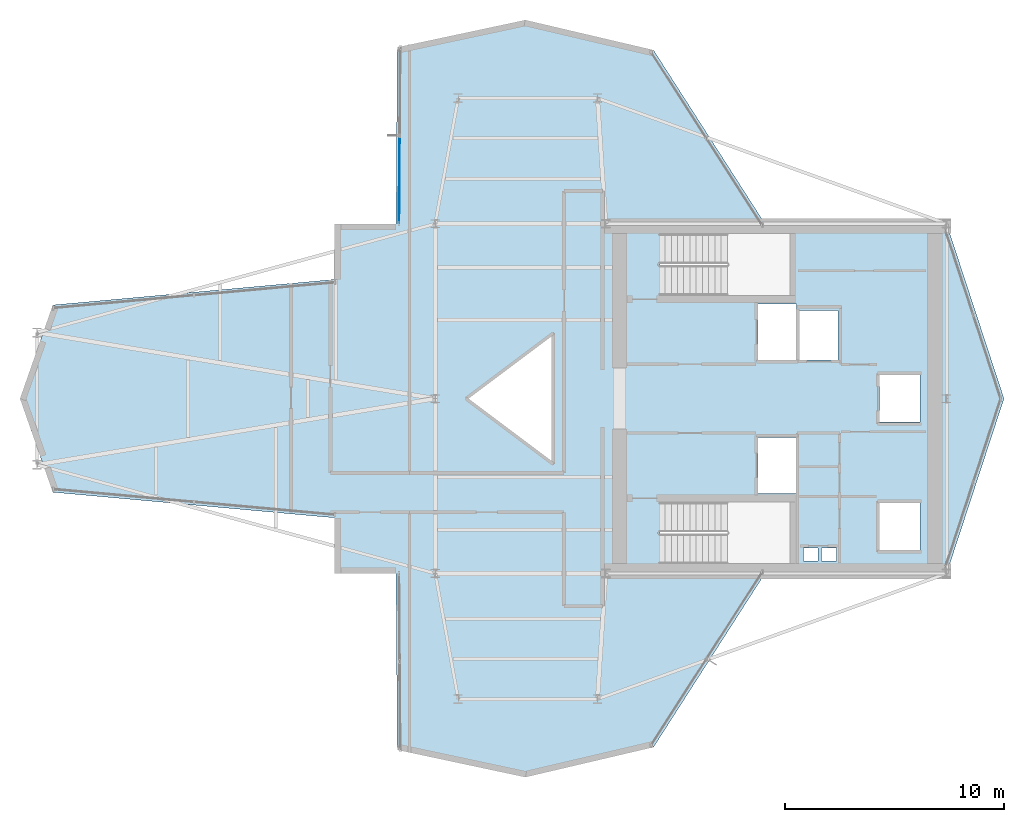
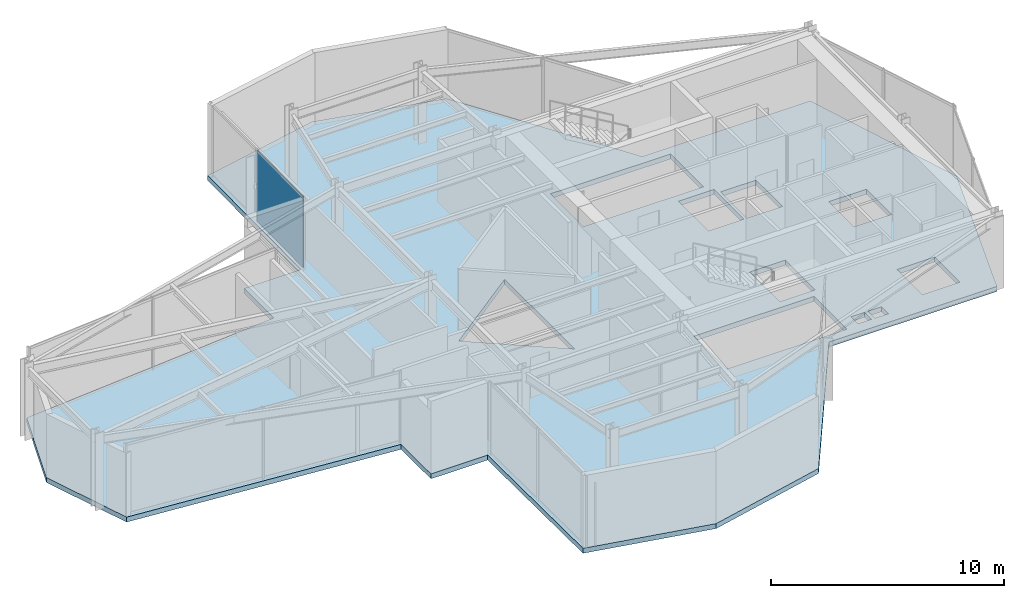
# One storey, part 19 of 23: 1 plate, 1 slab, 1 element without a shape of its own.
"""IFC4 building model written with IfcOpenShell, lengths in metres."""

import ifcopenshell
import ifcopenshell.guid

model = None  # the IFC model being written
_history = None  # IfcOwnerHistory: only IFC2X3 demands one
_inside = {}  # id of a spatial element -> (the spatial element, [elements in it])
_under = {}  # id of a project, library or spatial element -> (it, [spatial elements below it])
_declared = {}  # id of a project -> (the project, [libraries it declares])
_typed = {}  # id of a type object -> (the type object, [elements of that type])
_made_of = {}  # id of a material, layer set ... -> (it, [elements and type objects made of it])


def new_model(schema):
    """Start an empty IFC model of exactly this schema.

    Asked for "IFC4X3", IfcOpenShell would pick the latest addendum, in which some entities
    have other attributes; the version numbers below select the first issue.
    IFC2X3 requires an IfcOwnerHistory on every rooted entity: one is made here for all.
    """
    global model, _history
    if schema == "IFC4X3":
        model = ifcopenshell.file(schema_version=(4, 3, 0, 0))
    else:
        model = ifcopenshell.file(schema=schema)
    _inside.clear()
    _under.clear()
    _declared.clear()
    _typed.clear()
    _made_of.clear()
    _history = None
    if model.schema == "IFC2X3":
        org = make("IfcOrganization", Name="unknown")
        user = make(
            "IfcPersonAndOrganization",
            ThePerson=make("IfcPerson", FamilyName="unknown"),
            TheOrganization=org,
        )
        app = make(
            "IfcApplication",
            ApplicationDeveloper=org,
            Version="unknown",
            ApplicationFullName="unknown",
            ApplicationIdentifier="unknown",
        )
        _history = make(
            "IfcOwnerHistory",
            OwningUser=user,
            OwningApplication=app,
            ChangeAction="ADDED",
            CreationDate=0,
        )
    return model


def make(cls, **values):
    """One entity of the class cls with the attributes given. An attribute that is None is left unset."""
    return model.create_entity(
        cls, **{name: value for name, value in values.items() if value is not None}
    )


def rooted(cls, **values):
    """An entity with a GlobalId (a new one), such as an element, a storey or a relation."""
    return make(cls, GlobalId=ifcopenshell.guid.new(), OwnerHistory=_history, **values)


def si_unit(unit_type, name, prefix=None):
    """IfcSIUnit, for example si_unit("LENGTHUNIT", "METRE", prefix="MILLI")."""
    return make("IfcSIUnit", UnitType=unit_type, Prefix=prefix, Name=name)


def assignment(units):
    """IfcUnitAssignment: the units of a project."""
    return None if units is None else make("IfcUnitAssignment", Units=units)


def point(xyz):
    """IfcCartesianPoint."""
    return None if xyz is None else make("IfcCartesianPoint", Coordinates=xyz)


def direction(xyz):
    """IfcDirection."""
    return None if xyz is None else make("IfcDirection", DirectionRatios=xyz)


def frame(location, z_axis=None, x_axis=None):
    """IfcAxis2Placement3D, a coordinate frame: its origin and axes. An axis left out is left unset."""
    return make(
        "IfcAxis2Placement3D",
        Location=point(location),
        Axis=direction(z_axis),
        RefDirection=direction(x_axis),
    )


def frame_2d(location, x_axis=None):
    """IfcAxis2Placement2D, a coordinate frame in the plane: its origin and x axis."""
    return make(
        "IfcAxis2Placement2D", Location=point(location), RefDirection=direction(x_axis)
    )


def origin():
    """The frame at (0, 0, 0) with its axes left unset."""
    return frame((0.0, 0.0, 0.0))


def origin_2d():
    """The frame at (0, 0) in the plane with its x axis left unset."""
    return frame_2d((0.0, 0.0))


def place(relative_to, where):
    """IfcLocalPlacement: puts the frame where relative to a parent placement (None: the world)."""
    return make(
        "IfcLocalPlacement", PlacementRelTo=relative_to, RelativePlacement=where
    )


def context(
    kind, dimensions, precision=None, world=None, true_north=None, identifier=None
):
    """IfcGeometricRepresentationContext, for example the 3D "Model" context."""
    return make(
        "IfcGeometricRepresentationContext",
        ContextIdentifier=identifier,
        ContextType=kind,
        CoordinateSpaceDimension=dimensions,
        Precision=precision,
        WorldCoordinateSystem=world,
        TrueNorth=true_north,
    )


def subcontext(parent, identifier, kind, view, scale=None):
    """IfcGeometricRepresentationSubContext, for example "Body" below "Model"."""
    return make(
        "IfcGeometricRepresentationSubContext",
        ContextIdentifier=identifier,
        ContextType=kind,
        ParentContext=parent,
        TargetScale=scale,
        TargetView=view,
    )


def project(units=None, contexts=None):
    """IfcProject with its units and contexts."""
    return rooted(
        "IfcProject",
        Name="project",
        RepresentationContexts=contexts,
        UnitsInContext=assignment(units),
    )


def spatial(cls, under=None, at=None, **own):
    """A site, building, storey or space (cls), placed at a placement, below another one or the project."""
    s = rooted(cls, ObjectPlacement=at, **own)
    if under is not None:
        _under.setdefault(under.id(), (under, []))[1].append(s)
    return s


def polyline(points):
    """IfcPolyline through the points."""
    return make("IfcPolyline", Points=[point(p) for p in points])


def profile(cls, at=None, kind="AREA", **sizes):
    """A parametric profile (cls). Its sizes go by their IFC names, for example OverallWidth=200.0."""
    return make(cls, ProfileType=kind, Position=at, **sizes)


def rectangle(**sizes):
    """IfcRectangleProfileDef."""
    return profile("IfcRectangleProfileDef", **sizes)


def outline(outer, holes=None, kind="AREA"):
    """IfcArbitraryClosedProfileDef: a profile drawn as a closed curve; with holes, ...WithVoids."""
    if holes is None:
        return make("IfcArbitraryClosedProfileDef", ProfileType=kind, OuterCurve=outer)
    return make(
        "IfcArbitraryProfileDefWithVoids",
        ProfileType=kind,
        OuterCurve=outer,
        InnerCurves=holes,
    )


def extrude(swept, where, along, depth):
    """IfcExtrudedAreaSolid: the profile swept, set in the frame where, extruded along a direction by depth."""
    return make(
        "IfcExtrudedAreaSolid",
        SweptArea=swept,
        Position=where,
        ExtrudedDirection=direction(along),
        Depth=depth,
    )


def shape(context_of_items, identifier, shape_type, items):
    """IfcShapeRepresentation: the items that make up one representation, for example the "Body"."""
    return make(
        "IfcShapeRepresentation",
        ContextOfItems=context_of_items,
        RepresentationIdentifier=identifier,
        RepresentationType=shape_type,
        Items=items,
    )


def material(Name=None, Category=None):
    """IfcMaterial."""
    return make("IfcMaterial", Name=Name, Category=Category)


def layer(
    of_material, thickness, ventilated=None, Name=None, Category=None, Priority=None
):
    """IfcMaterialLayer: one layer of a wall or slab, of a material (None: an air gap)."""
    return make(
        "IfcMaterialLayer",
        Material=of_material,
        LayerThickness=thickness,
        IsVentilated=ventilated,
        Name=Name,
        Category=Category,
        Priority=Priority,
    )


def layer_set(layers, Name=None):
    """IfcMaterialLayerSet."""
    return make("IfcMaterialLayerSet", MaterialLayers=layers, LayerSetName=Name)


def made_of(thing, what):
    """Note that an element or type object is made of a material, layer set ...; save() writes the relation."""
    if what is not None:
        _made_of.setdefault(what.id(), (what, []))[1].append(thing)
    return thing


def type_object(cls, material=None, **own):
    """A type object (cls), such as IfcWallType, which elements share."""
    return made_of(rooted(cls, **own), material)


def element(
    cls,
    number,
    at=None,
    inside=None,
    cuts=None,
    type_object=None,
    material=None,
    context=None,
    identifier="Body",
    shape_type=None,
    held_by="IfcProductDefinitionShape",
    body=None,
    shapes=None,
    **own,
):
    """One element of the class cls, such as IfcWall. Its Tag is "e" and its number.

    at: its placement. inside: the storey or other place that contains it. cuts: it is an
    opening in that element (IfcRelVoidsElement). A single representation is given by context,
    identifier, shape_type and body (its items); several are given by shapes. held_by: the class
    of the entity that holds the representations. save() writes the other relations.
    """
    e = rooted(cls, Tag="e%d" % number, ObjectPlacement=at, **own)
    if body is not None:
        shapes = [shape(context, identifier, shape_type, body)]
    if shapes is not None:
        e.Representation = make(held_by, Representations=shapes)
    if inside is not None:
        _inside.setdefault(inside.id(), (inside, []))[1].append(e)
    if cuts is not None:
        rooted(
            "IfcRelVoidsElement", RelatingBuildingElement=cuts, RelatedOpeningElement=e
        )
    if type_object is not None:
        _typed.setdefault(type_object.id(), (type_object, []))[1].append(e)
    return made_of(e, material)


def aggregate(whole, parts):
    """IfcRelAggregates: a whole, such as a stair, and the parts it consists of."""
    return rooted("IfcRelAggregates", RelatingObject=whole, RelatedObjects=parts)


def save(model, path):
    """Write the relations noted so far, then the file.

    IfcRelAggregates (storeys below a building ...), IfcRelContainedInSpatialStructure (elements
    in a storey), IfcRelDefinesByType, IfcRelAssociatesMaterial and IfcRelDeclares: one each for
    every whole, place, type object, material and project.
    """
    for whole, parts in _under.values():
        aggregate(whole, parts)
    for where, things in _inside.values():
        rooted(
            "IfcRelContainedInSpatialStructure",
            RelatedElements=things,
            RelatingStructure=where,
        )
    for kind, things in _typed.values():
        rooted("IfcRelDefinesByType", RelatedObjects=things, RelatingType=kind)
    for what, things in _made_of.values():
        rooted("IfcRelAssociatesMaterial", RelatedObjects=things, RelatingMaterial=what)
    for by, libraries in _declared.values():
        rooted("IfcRelDeclares", RelatingContext=by, RelatedDefinitions=libraries)
    model.write(path)


model = new_model("IFC4")

# Units and contexts
model_context = context("Model", 3, precision=1e-05, world=origin(), true_north=direction((0.0, 1.0)))
body_context = subcontext(model_context, "Body", "Model", "MODEL_VIEW")
ifc_project = project(units=[si_unit("LENGTHUNIT", "METRE"), si_unit("AREAUNIT", "SQUARE_METRE"), si_unit("VOLUMEUNIT", "CUBIC_METRE"), si_unit("PLANEANGLEUNIT", "RADIAN"), si_unit("MASSUNIT", "GRAM", prefix="KILO")], contexts=[model_context])

# Site, building, storey
site_placement = place(None, origin())
site = spatial("IfcSite", under=ifc_project, at=site_placement, CompositionType="ELEMENT")
building_placement = place(site_placement, origin())
building = spatial("IfcBuilding", under=site, at=building_placement, Name="Veymaron Broadcast Tower", CompositionType="ELEMENT")
storey_placement = place(building_placement, frame((0.0, 0.0, 195.89990234375)))
storey = spatial("IfcBuildingStorey", under=building, at=storey_placement, Name="L45", CompositionType="ELEMENT", Elevation=195.89990234375)

# Curtain wall, plate
ifc_material_1 = material(Name="Anodised aluminium AA 6063-T6 and laminated low-E dark glass", Category="aluminium")
ifc_layer_1 = layer(ifc_material_1, 0.179931640625)
ifc_layer_set_1 = layer_set([ifc_layer_1], Name="Anodised aluminium AA 6063-T6 and laminated low-E dark glass")
curtain_wall_type = type_object("IfcCurtainWallType", Name="CW-SYS-05", PredefinedType="NOTDEFINED", material=ifc_layer_set_1)
curtain_wall_placement = place(storey_placement, origin())
curtain_wall = element("IfcCurtainWall", 1, at=curtain_wall_placement, inside=storey, type_object=curtain_wall_type, Name="L45 dark-glass curtain wall CW-L45-E8-1", PredefinedType="NOTDEFINED")
ifc_material_2 = material(Name="Double-silver solar-control dark glass IGU 32 mm", Category="glass")
ifc_layer_2 = layer(ifc_material_2, 0.031982421875)
ifc_layer_set_2 = layer_set([ifc_layer_2], Name="Double-silver solar-control dark glass IGU 32 mm")
plate_type = type_object("IfcPlateType", Name="CW-PNL-02", PredefinedType="CURTAIN_PANEL", material=ifc_layer_set_2)
plate_placement = place(storey_placement, frame((29.56005859375, 34.017578125, 0.0400390625), z_axis=(0.0, 0.0, 1.0), x_axis=(-0.007138336016, -0.999974521755, 0.0)))
plate = element("IfcPlate", 2, at=plate_placement, type_object=plate_type, Name="CW-L45-E8-1 unitised curtain panel 1", PredefinedType="CURTAIN_PANEL", context=body_context, shape_type="SweptSolid", body=[
    extrude(rectangle(XDim=3.9775390625, YDim=0.031982421875, at=origin_2d()), origin(), (0.0, 0.0, 1.0), 3.7099609375),
])
aggregate(curtain_wall, [plate])

# Slab
ifc_material_3 = material(Name="Concrete C40/50", Category="concrete")
ifc_layer_3 = layer(ifc_material_3, 0.260009765625)
ifc_layer_set_3 = layer_set([ifc_layer_3], Name="Concrete C40/50")
slab_type = type_object("IfcSlabType", Name="SLAB-FS5", PredefinedType="FLOOR", material=ifc_layer_set_3)
slab_placement = place(storey_placement, frame((0.0, 0.0, -0.260009765625)))
element("IfcSlab", 3, at=slab_placement, inside=storey, type_object=slab_type, Name="L45 structural floor slab", PredefinedType="FLOOR", context=body_context, shape_type="SweptSolid", body=[
    extrude(outline(polyline([(46.286865234375, 16.0), (54.60009765625, 16.0), (57.22509765625, 24.0), (54.60009765625, 32.0), (46.286865234375, 32.0), (41.186767578125, 39.949951171875), (35.324951171875, 41.324951171875), (29.46337890625, 40.074951171875), (29.40576171875, 32.0), (26.60009765625, 32.0), (26.60009765625, 29.45458984375), (13.699951171875, 28.283447265625), (12.199951171875, 24.0), (13.699951171875, 19.716552734375), (26.60009765625, 18.54541015625), (26.60009765625, 16.0), (29.40576171875, 16.0), (29.46337890625, 7.925048828125), (35.324951171875, 6.675048828125), (41.186767578125, 8.050048828125), (46.286865234375, 16.0)]), holes=[polyline([(45.969970703125, 28.330078125), (47.72998046875, 28.330078125), (47.72998046875, 25.77001953125), (45.969970703125, 25.77001953125), (45.969970703125, 28.330078125)]), polyline([(45.969970703125, 22.22998046875), (47.72998046875, 22.22998046875), (47.72998046875, 19.669921875), (45.969970703125, 19.669921875), (45.969970703125, 22.22998046875)]), polyline([(47.8701171875, 28.030029296875), (49.6298828125, 28.030029296875), (49.6298828125, 25.77001953125), (47.8701171875, 25.77001953125), (47.8701171875, 28.030029296875)]), polyline([(51.52001953125, 25.080078125), (53.3798828125, 25.080078125), (53.3798828125, 22.919921875), (51.52001953125, 22.919921875), (51.52001953125, 25.080078125)]), polyline([(51.52001953125, 19.22998046875), (53.3798828125, 19.22998046875), (53.3798828125, 17.070068359375), (51.52001953125, 17.070068359375), (51.52001953125, 19.22998046875)]), polyline([(48.050048828125, 17.159912109375), (48.719970703125, 17.159912109375), (48.719970703125, 16.56005859375), (48.050048828125, 16.56005859375), (48.050048828125, 17.159912109375)]), polyline([(48.8798828125, 17.159912109375), (49.550048828125, 17.159912109375), (49.550048828125, 16.56005859375), (48.8798828125, 16.56005859375), (48.8798828125, 17.159912109375)]), polyline([(36.60009765625, 27.0), (36.60009765625, 21.0), (32.60009765625, 24.0), (36.60009765625, 27.0)]), polyline([(41.489990234375, 31.550048828125), (47.43994140625, 31.550048828125), (47.43994140625, 28.72998046875), (41.489990234375, 28.72998046875), (41.489990234375, 31.550048828125)]), polyline([(41.489990234375, 19.27001953125), (47.43994140625, 19.27001953125), (47.43994140625, 16.449951171875), (41.489990234375, 16.449951171875), (41.489990234375, 19.27001953125)])]), origin(), (0.0, 0.0, 1.0), 0.260009765625),
])

save(model, "model.ifc")
